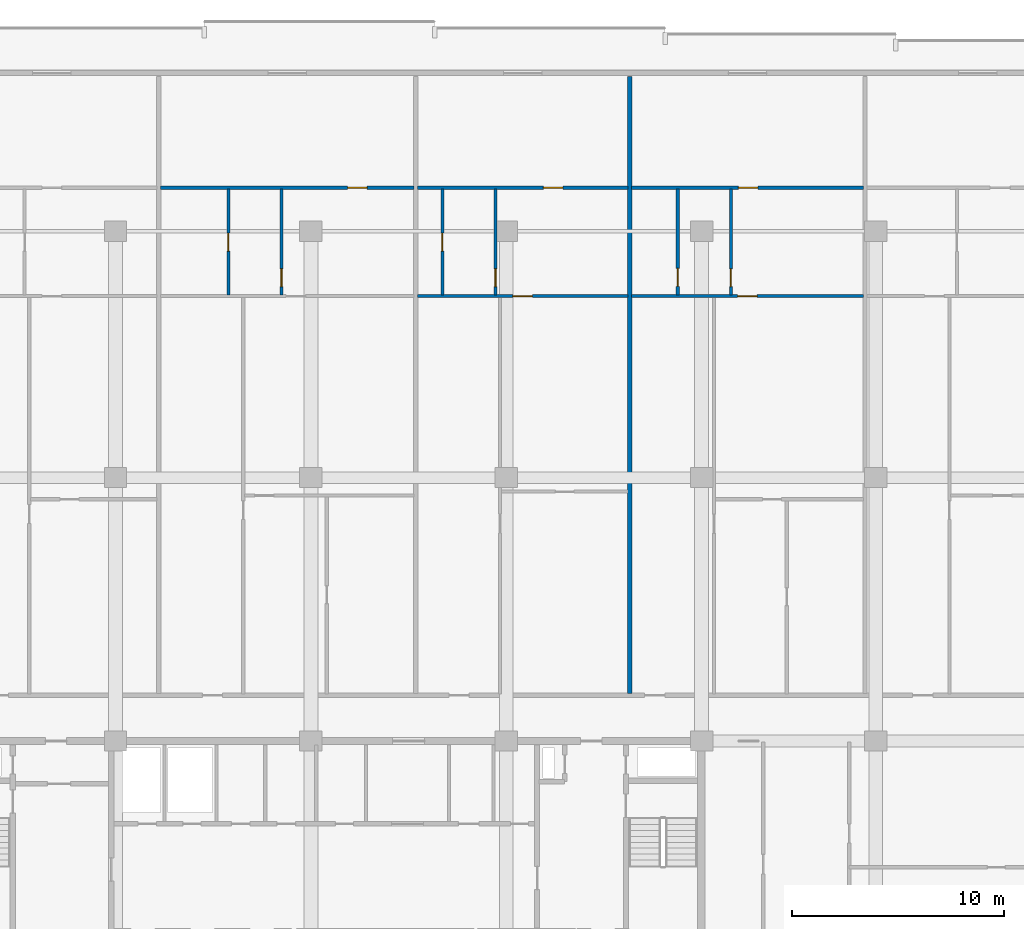
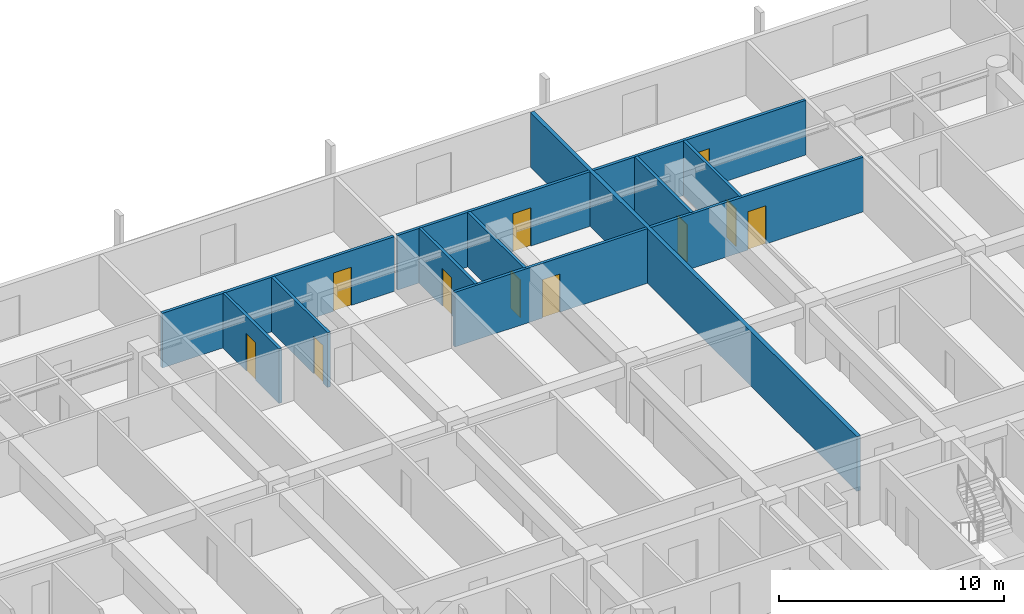
# One storey, part 15 of 23: 12 walls, 11 doors, 11 openings.
"""IFC4 building model written with IfcOpenShell, lengths in metres."""

from ifc_helpers import new_model, si_unit, direction, frame, frame_2d, origin, place, context, subcontext, project, spatial, rectangle, extrude, material, layer, layer_set, type_object, element, fill, save


model = new_model("IFC4")

# Units and contexts
model_context = context("Model", 3, precision=1e-05, world=origin(), true_north=direction((0.0, 1.0)))
body_context = subcontext(model_context, "Body", "Model", "MODEL_VIEW")
ifc_project = project(units=[si_unit("LENGTHUNIT", "METRE"), si_unit("AREAUNIT", "SQUARE_METRE"), si_unit("VOLUMEUNIT", "CUBIC_METRE"), si_unit("PLANEANGLEUNIT", "RADIAN"), si_unit("MASSUNIT", "GRAM", prefix="KILO")], contexts=[model_context])

# Site, building, storey
site_placement = place(None, origin())
site = spatial("IfcSite", under=ifc_project, at=site_placement, CompositionType="ELEMENT")
building_placement = place(site_placement, origin())
building = spatial("IfcBuilding", under=site, at=building_placement, Name="Korimba Cascade Residences", CompositionType="ELEMENT")
storey_placement = place(building_placement, frame((0.0, 0.0, 30.5)))
storey = spatial("IfcBuildingStorey", under=building, at=storey_placement, Name="L07", CompositionType="ELEMENT", Elevation=30.5)

# Wall
ifc_material_1 = material(Name="Precast concrete C40/50", Category="concrete")
ifc_layer_1 = layer(ifc_material_1, 0.199951171875)
ifc_layer_set_1 = layer_set([ifc_layer_1], Name="Precast concrete C40/50")
wall_type_1 = type_object("IfcWallType", Name="WAL-IT-200", PredefinedType="PARTITIONING", material=ifc_layer_set_1)
wall_1_placement = place(storey_placement, frame((108.712890625, 69.429931640625, 0.0), z_axis=(0.0, 0.0, 1.0), x_axis=(0.0, 1.0, 0.0)))
element("IfcWall", 1, at=wall_1_placement, inside=storey, type_object=wall_type_1, Name="L07 Partition Wall WAL-L07-T1-DEM-5", PredefinedType="PARTITIONING", context=body_context, shape_type="SweptSolid", body=[
    extrude(rectangle(XDim=29.070068359375, YDim=0.199951171875, at=frame_2d((14.53515625, 0.0))), origin(), (0.0, 0.0, 1.0), 2.969970703125),
])

# Wall, opening, door
ifc_material_2 = material(Name="Insulated Acoustic Stud Partition", Category="gypsum")
ifc_layer_2 = layer(ifc_material_2, 0.14990234375)
ifc_layer_set_2 = layer_set([ifc_layer_2], Name="Insulated Acoustic Stud Partition")
wall_type_2 = type_object("IfcWallType", Name="WAL-PART-150", PredefinedType="PARTITIONING", material=ifc_layer_set_2)
wall_2_placement = place(storey_placement, frame((89.81494140625, 88.18994140625, 0.0), z_axis=(0.0, 0.0, 1.0), x_axis=(0.0, 1.0, 0.0)))
wall_2 = element("IfcWall", 2, at=wall_2_placement, inside=storey, type_object=wall_type_2, Name="L07 Partition Wall WAL-L07-T1-U04-CLS", PredefinedType="PARTITIONING", context=body_context, shape_type="SweptSolid", body=[
    extrude(rectangle(XDim=5.0, YDim=0.14990234375, at=frame_2d((2.5, 0.0))), origin(), (0.0, 0.0, 1.0), 2.969970703125),
])
opening_1_placement = place(wall_2_placement, frame((2.080078125, 0.0, 0.0)))
opening_1 = element("IfcOpeningElement", 3, at=opening_1_placement, cuts=wall_2, Name="Opening D-BT1", PredefinedType="OPENING", context=body_context, shape_type="SweptSolid", body=[
    extrude(rectangle(XDim=0.840087890625, YDim=2.0400390625, at=frame_2d((0.419921875, 1.02001953125))), frame((0.0, 0.0849609375, 0.0), z_axis=(0.0, -1.0, 0.0), x_axis=(1.0, 0.0, 0.0)), (0.0, 0.0, 1.0), 0.169921875),
])
ifc_material_3 = material(Name="Moisture-Resistant Bathroom Timber Door", Category="wood")
door_type_1 = type_object("IfcDoorType", Name="DR-INT-850", OperationType="NOTDEFINED", PredefinedType="DOOR", material=ifc_material_3)
door_1_placement = place(opening_1_placement, origin())
door_1 = element("IfcDoor", 4, at=door_1_placement, inside=storey, type_object=door_type_1, Name="L07-T1-U04 Closet Door", OperationType="SINGLE_SWING_RIGHT", OverallHeight=2.0400390625, OverallWidth=0.840087890625, PredefinedType="DOOR", context=body_context, shape_type="SweptSolid", body=[
    extrude(rectangle(XDim=0.840087890625, YDim=2.0400390625, at=frame_2d((0.419921875, 1.02001953125))), frame((0.0, 0.02490234375, 0.0), z_axis=(0.0, -1.0, 0.0), x_axis=(1.0, 0.0, 0.0)), (0.0, 0.0, 1.0), 0.050048828125),
])
fill(opening_1, door_1)

wall_3_placement = place(storey_placement, frame((92.31494140625, 88.18994140625, 0.0), z_axis=(0.0, 0.0, 1.0), x_axis=(0.0, 1.0, 0.0)))
wall_3 = element("IfcWall", 5, at=wall_3_placement, inside=storey, type_object=wall_type_2, Name="L07 Partition Wall WAL-L07-T1-U04-BM", PredefinedType="PARTITIONING", context=body_context, shape_type="SweptSolid", body=[
    extrude(rectangle(XDim=5.0, YDim=0.14990234375, at=frame_2d((2.5, 0.0))), origin(), (0.0, 0.0, 1.0), 2.969970703125),
])
opening_2_placement = place(wall_3_placement, frame((0.39990234375, 0.0, 0.0)))
opening_2 = element("IfcOpeningElement", 6, at=opening_2_placement, cuts=wall_3, Name="Opening D-BT1", PredefinedType="OPENING", context=body_context, shape_type="SweptSolid", body=[
    extrude(rectangle(XDim=0.840087890625, YDim=2.0400390625, at=frame_2d((0.419921875, 1.02001953125))), frame((0.0, 0.0849609375, 0.0), z_axis=(0.0, -1.0, 0.0), x_axis=(1.0, 0.0, 0.0)), (0.0, 0.0, 1.0), 0.169921875),
])
door_2_placement = place(opening_2_placement, origin())
door_2 = element("IfcDoor", 7, at=door_2_placement, inside=storey, type_object=door_type_1, Name="L07-T1-U04 Bathroom Door", OperationType="SINGLE_SWING_LEFT", OverallHeight=2.0400390625, OverallWidth=0.840087890625, PredefinedType="DOOR", context=body_context, shape_type="SweptSolid", body=[
    extrude(rectangle(XDim=0.840087890625, YDim=2.0400390625, at=frame_2d((0.419921875, 1.02001953125))), frame((0.0, 0.02490234375, 0.0), z_axis=(0.0, -1.0, 0.0), x_axis=(1.0, 0.0, 0.0)), (0.0, 0.0, 1.0), 0.050048828125),
])
fill(opening_2, door_2)

wall_4_placement = place(storey_placement, frame((86.62158203125, 93.25, 0.0), z_axis=(0.0, 0.0, 1.0), x_axis=(1.0, 0.0, 0.0)))
wall_4 = element("IfcWall", 8, at=wall_4_placement, inside=storey, type_object=wall_type_2, Name="L07 Partition Wall WAL-L07-T1-U04-HZ", PredefinedType="PARTITIONING", context=body_context, shape_type="SweptSolid", body=[
    extrude(rectangle(XDim=11.933349609375, YDim=0.14990234375, at=frame_2d((5.966796875, 0.0))), origin(), (0.0, 0.0, 1.0), 2.969970703125),
])
opening_3_placement = place(wall_4_placement, frame((8.8115234375, 0.0, 0.0)))
opening_3 = element("IfcOpeningElement", 9, at=opening_3_placement, cuts=wall_4, Name="Opening D-IN1", PredefinedType="OPENING", context=body_context, shape_type="SweptSolid", body=[
    extrude(rectangle(XDim=0.919921875, YDim=2.080078125, at=frame_2d((0.4599609375, 1.0400390625))), frame((0.0, 0.0849609375, 0.0), z_axis=(0.0, -1.0, 0.0), x_axis=(1.0, 0.0, 0.0)), (0.0, 0.0, 1.0), 0.169921875),
])
ifc_material_4 = material(Name="Acoustic Timber Living Door", Category="wood")
door_type_2 = type_object("IfcDoorType", Name="DR-INT-920", OperationType="NOTDEFINED", PredefinedType="DOOR", material=ifc_material_4)
door_3_placement = place(opening_3_placement, origin())
door_3 = element("IfcDoor", 10, at=door_3_placement, inside=storey, type_object=door_type_2, Name="L07-T1-U04 Studio Door", OperationType="SINGLE_SWING_LEFT", OverallHeight=2.080078125, OverallWidth=0.919921875, PredefinedType="DOOR", context=body_context, shape_type="SweptSolid", body=[
    extrude(rectangle(XDim=0.919921875, YDim=2.080078125, at=frame_2d((0.4599609375, 1.0400390625))), frame((0.0, 0.02490234375, 0.0), z_axis=(0.0, -1.0, 0.0), x_axis=(1.0, 0.0, 0.0)), (0.0, 0.0, 1.0), 0.050048828125),
])
fill(opening_3, door_3)

wall_5_placement = place(storey_placement, frame((99.892822265625, 88.18994140625, 0.0), z_axis=(0.0, 0.0, 1.0), x_axis=(0.0, 1.0, 0.0)))
wall_5 = element("IfcWall", 11, at=wall_5_placement, inside=storey, type_object=wall_type_2, Name="L07 Partition Wall WAL-L07-T1-U05-CLS", PredefinedType="PARTITIONING", context=body_context, shape_type="SweptSolid", body=[
    extrude(rectangle(XDim=5.0, YDim=0.14990234375, at=frame_2d((2.5, 0.0))), origin(), (0.0, 0.0, 1.0), 2.969970703125),
])
opening_4_placement = place(wall_5_placement, frame((2.080078125, 0.0, 0.0)))
opening_4 = element("IfcOpeningElement", 12, at=opening_4_placement, cuts=wall_5, Name="Opening D-BT1", PredefinedType="OPENING", context=body_context, shape_type="SweptSolid", body=[
    extrude(rectangle(XDim=0.840087890625, YDim=2.0400390625, at=frame_2d((0.419921875, 1.02001953125))), frame((0.0, 0.0849609375, 0.0), z_axis=(0.0, -1.0, 0.0), x_axis=(1.0, 0.0, 0.0)), (0.0, 0.0, 1.0), 0.169921875),
])
door_4_placement = place(opening_4_placement, origin())
door_4 = element("IfcDoor", 13, at=door_4_placement, inside=storey, type_object=door_type_1, Name="L07-T1-U05 Closet Door", OperationType="SINGLE_SWING_RIGHT", OverallHeight=2.0400390625, OverallWidth=0.840087890625, PredefinedType="DOOR", context=body_context, shape_type="SweptSolid", body=[
    extrude(rectangle(XDim=0.840087890625, YDim=2.0400390625, at=frame_2d((0.419921875, 1.02001953125))), frame((0.0, 0.02490234375, 0.0), z_axis=(0.0, -1.0, 0.0), x_axis=(1.0, 0.0, 0.0)), (0.0, 0.0, 1.0), 0.050048828125),
])
fill(opening_4, door_4)

wall_6_placement = place(storey_placement, frame((102.392822265625, 88.18994140625, 0.0), z_axis=(0.0, 0.0, 1.0), x_axis=(0.0, 1.0, 0.0)))
wall_6 = element("IfcWall", 14, at=wall_6_placement, inside=storey, type_object=wall_type_2, Name="L07 Partition Wall WAL-L07-T1-U05-BM", PredefinedType="PARTITIONING", context=body_context, shape_type="SweptSolid", body=[
    extrude(rectangle(XDim=5.0, YDim=0.14990234375, at=frame_2d((2.5, 0.0))), origin(), (0.0, 0.0, 1.0), 2.969970703125),
])
opening_5_placement = place(wall_6_placement, frame((0.39990234375, 0.0, 0.0)))
opening_5 = element("IfcOpeningElement", 15, at=opening_5_placement, cuts=wall_6, Name="Opening D-BT1", PredefinedType="OPENING", context=body_context, shape_type="SweptSolid", body=[
    extrude(rectangle(XDim=0.840087890625, YDim=2.0400390625, at=frame_2d((0.419921875, 1.02001953125))), frame((0.0, 0.0849609375, 0.0), z_axis=(0.0, -1.0, 0.0), x_axis=(1.0, 0.0, 0.0)), (0.0, 0.0, 1.0), 0.169921875),
])
door_5_placement = place(opening_5_placement, origin())
door_5 = element("IfcDoor", 16, at=door_5_placement, inside=storey, type_object=door_type_1, Name="L07-T1-U05 Bathroom Door", OperationType="SINGLE_SWING_LEFT", OverallHeight=2.0400390625, OverallWidth=0.840087890625, PredefinedType="DOOR", context=body_context, shape_type="SweptSolid", body=[
    extrude(rectangle(XDim=0.840087890625, YDim=2.0400390625, at=frame_2d((0.419921875, 1.02001953125))), frame((0.0, 0.02490234375, 0.0), z_axis=(0.0, -1.0, 0.0), x_axis=(1.0, 0.0, 0.0)), (0.0, 0.0, 1.0), 0.050048828125),
])
fill(opening_5, door_5)

wall_7_placement = place(storey_placement, frame((98.715087890625, 88.14990234375, 0.0), z_axis=(0.0, 0.0, 1.0), x_axis=(1.0, 0.0, 0.0)))
wall_7 = element("IfcWall", 17, at=wall_7_placement, inside=storey, type_object=wall_type_2, Name="L07 Partition Wall WAL-L07-T1-U05-MW", PredefinedType="PARTITIONING", context=body_context, shape_type="SweptSolid", body=[
    extrude(rectangle(XDim=9.917724609375, YDim=0.14990234375, at=frame_2d((4.958984375, 0.0))), origin(), (0.0, 0.0, 1.0), 2.969970703125),
])
opening_6_placement = place(wall_7_placement, frame((4.4990234375, 0.0, 0.0)))
opening_6 = element("IfcOpeningElement", 18, at=opening_6_placement, cuts=wall_7, Name="Opening D-IN1", PredefinedType="OPENING", context=body_context, shape_type="SweptSolid", body=[
    extrude(rectangle(XDim=0.919921875, YDim=2.080078125, at=frame_2d((0.4599609375, 1.0400390625))), frame((0.0, 0.0849609375, 0.0), z_axis=(0.0, -1.0, 0.0), x_axis=(1.0, 0.0, 0.0)), (0.0, 0.0, 1.0), 0.169921875),
])
door_6_placement = place(opening_6_placement, origin())
door_6 = element("IfcDoor", 19, at=door_6_placement, inside=storey, type_object=door_type_2, Name="L07-T1-U05 Studio Kitchen Door", OperationType="SINGLE_SWING_RIGHT", OverallHeight=2.080078125, OverallWidth=0.919921875, PredefinedType="DOOR", context=body_context, shape_type="SweptSolid", body=[
    extrude(rectangle(XDim=0.919921875, YDim=2.080078125, at=frame_2d((0.4599609375, 1.0400390625))), frame((0.0, 0.02490234375, 0.0), z_axis=(0.0, -1.0, 0.0), x_axis=(1.0, 0.0, 0.0)), (0.0, 0.0, 1.0), 0.050048828125),
])
fill(opening_6, door_6)

wall_8_placement = place(storey_placement, frame((98.715087890625, 93.25, 0.0), z_axis=(0.0, 0.0, 1.0), x_axis=(1.0, 0.0, 0.0)))
wall_8 = element("IfcWall", 20, at=wall_8_placement, inside=storey, type_object=wall_type_2, Name="L07 Partition Wall WAL-L07-T1-U05-HZ", PredefinedType="PARTITIONING", context=body_context, shape_type="SweptSolid", body=[
    extrude(rectangle(XDim=9.917724609375, YDim=0.14990234375, at=frame_2d((4.958984375, 0.0))), origin(), (0.0, 0.0, 1.0), 2.969970703125),
])
opening_7_placement = place(wall_8_placement, frame((5.935546875, 0.0, 0.0)))
opening_7 = element("IfcOpeningElement", 21, at=opening_7_placement, cuts=wall_8, Name="Opening D-IN1", PredefinedType="OPENING", context=body_context, shape_type="SweptSolid", body=[
    extrude(rectangle(XDim=0.919921875, YDim=2.080078125, at=frame_2d((0.4599609375, 1.0400390625))), frame((0.0, 0.0849609375, 0.0), z_axis=(0.0, -1.0, 0.0), x_axis=(1.0, 0.0, 0.0)), (0.0, 0.0, 1.0), 0.169921875),
])
door_7_placement = place(opening_7_placement, origin())
door_7 = element("IfcDoor", 22, at=door_7_placement, inside=storey, type_object=door_type_2, Name="L07-T1-U05 Studio Door", OperationType="SINGLE_SWING_LEFT", OverallHeight=2.080078125, OverallWidth=0.919921875, PredefinedType="DOOR", context=body_context, shape_type="SweptSolid", body=[
    extrude(rectangle(XDim=0.919921875, YDim=2.080078125, at=frame_2d((0.4599609375, 1.0400390625))), frame((0.0, 0.02490234375, 0.0), z_axis=(0.0, -1.0, 0.0), x_axis=(1.0, 0.0, 0.0)), (0.0, 0.0, 1.0), 0.050048828125),
])
fill(opening_7, door_7)

wall_9_placement = place(storey_placement, frame((110.978515625, 88.18994140625, 0.0), z_axis=(0.0, 0.0, 1.0), x_axis=(0.0, 1.0, 0.0)))
wall_9 = element("IfcWall", 23, at=wall_9_placement, inside=storey, type_object=wall_type_2, Name="L07 Partition Wall WAL-L07-T1-U06-CLS", PredefinedType="PARTITIONING", context=body_context, shape_type="SweptSolid", body=[
    extrude(rectangle(XDim=5.0, YDim=0.14990234375, at=frame_2d((2.5, 0.0))), origin(), (0.0, 0.0, 1.0), 2.969970703125),
])
opening_8_placement = place(wall_9_placement, frame((0.419189453125, 0.0, 0.0)))
opening_8 = element("IfcOpeningElement", 24, at=opening_8_placement, cuts=wall_9, Name="Opening D-BT1", PredefinedType="OPENING", context=body_context, shape_type="SweptSolid", body=[
    extrude(rectangle(XDim=0.840087890625, YDim=2.0400390625, at=frame_2d((0.419921875, 1.02001953125))), frame((0.0, 0.0849609375, 0.0), z_axis=(0.0, -1.0, 0.0), x_axis=(1.0, 0.0, 0.0)), (0.0, 0.0, 1.0), 0.169921875),
])
door_8_placement = place(opening_8_placement, origin())
door_8 = element("IfcDoor", 25, at=door_8_placement, inside=storey, type_object=door_type_1, Name="L07-T1-U06 Closet Door", OperationType="SINGLE_SWING_LEFT", OverallHeight=2.0400390625, OverallWidth=0.840087890625, PredefinedType="DOOR", context=body_context, shape_type="SweptSolid", body=[
    extrude(rectangle(XDim=0.840087890625, YDim=2.0400390625, at=frame_2d((0.419921875, 1.02001953125))), frame((0.0, 0.02490234375, 0.0), z_axis=(0.0, -1.0, 0.0), x_axis=(1.0, 0.0, 0.0)), (0.0, 0.0, 1.0), 0.050048828125),
])
fill(opening_8, door_8)

wall_10_placement = place(storey_placement, frame((113.478515625, 88.18994140625, 0.0), z_axis=(0.0, 0.0, 1.0), x_axis=(0.0, 1.0, 0.0)))
wall_10 = element("IfcWall", 26, at=wall_10_placement, inside=storey, type_object=wall_type_2, Name="L07 Partition Wall WAL-L07-T1-U06-BM", PredefinedType="PARTITIONING", context=body_context, shape_type="SweptSolid", body=[
    extrude(rectangle(XDim=5.0, YDim=0.14990234375, at=frame_2d((2.5, 0.0))), origin(), (0.0, 0.0, 1.0), 2.969970703125),
])
opening_9_placement = place(wall_10_placement, frame((0.39990234375, 0.0, 0.0)))
opening_9 = element("IfcOpeningElement", 27, at=opening_9_placement, cuts=wall_10, Name="Opening D-BT1", PredefinedType="OPENING", context=body_context, shape_type="SweptSolid", body=[
    extrude(rectangle(XDim=0.840087890625, YDim=2.0400390625, at=frame_2d((0.419921875, 1.02001953125))), frame((0.0, 0.0849609375, 0.0), z_axis=(0.0, -1.0, 0.0), x_axis=(1.0, 0.0, 0.0)), (0.0, 0.0, 1.0), 0.169921875),
])
door_9_placement = place(opening_9_placement, origin())
door_9 = element("IfcDoor", 28, at=door_9_placement, inside=storey, type_object=door_type_1, Name="L07-T1-U06 Bathroom Door", OperationType="SINGLE_SWING_RIGHT", OverallHeight=2.0400390625, OverallWidth=0.840087890625, PredefinedType="DOOR", context=body_context, shape_type="SweptSolid", body=[
    extrude(rectangle(XDim=0.840087890625, YDim=2.0400390625, at=frame_2d((0.419921875, 1.02001953125))), frame((0.0, 0.02490234375, 0.0), z_axis=(0.0, -1.0, 0.0), x_axis=(1.0, 0.0, 0.0)), (0.0, 0.0, 1.0), 0.050048828125),
])
fill(opening_9, door_9)

wall_11_placement = place(storey_placement, frame((108.79296875, 88.14990234375, 0.0), z_axis=(0.0, 0.0, 1.0), x_axis=(1.0, 0.0, 0.0)))
wall_11 = element("IfcWall", 29, at=wall_11_placement, inside=storey, type_object=wall_type_2, Name="L07 Partition Wall WAL-L07-T1-U06-MW", PredefinedType="PARTITIONING", context=body_context, shape_type="SweptSolid", body=[
    extrude(rectangle(XDim=10.925537109375, YDim=0.14990234375, at=frame_2d((5.462890625, 0.0))), origin(), (0.0, 0.0, 1.0), 2.969970703125),
])
opening_10_placement = place(wall_11_placement, frame((5.002685546875, 0.0, 0.0)))
opening_10 = element("IfcOpeningElement", 30, at=opening_10_placement, cuts=wall_11, Name="Opening D-IN1", PredefinedType="OPENING", context=body_context, shape_type="SweptSolid", body=[
    extrude(rectangle(XDim=0.919921875, YDim=2.080078125, at=frame_2d((0.4599609375, 1.0400390625))), frame((0.0, 0.0849609375, 0.0), z_axis=(0.0, -1.0, 0.0), x_axis=(1.0, 0.0, 0.0)), (0.0, 0.0, 1.0), 0.169921875),
])
door_10_placement = place(opening_10_placement, origin())
door_10 = element("IfcDoor", 31, at=door_10_placement, inside=storey, type_object=door_type_2, Name="L07-T1-U06 Studio Kitchen Door", OperationType="SINGLE_SWING_LEFT", OverallHeight=2.080078125, OverallWidth=0.919921875, PredefinedType="DOOR", context=body_context, shape_type="SweptSolid", body=[
    extrude(rectangle(XDim=0.919921875, YDim=2.080078125, at=frame_2d((0.4599609375, 1.0400390625))), frame((0.0, 0.02490234375, 0.0), z_axis=(0.0, -1.0, 0.0), x_axis=(1.0, 0.0, 0.0)), (0.0, 0.0, 1.0), 0.050048828125),
])
fill(opening_10, door_10)

wall_12_placement = place(storey_placement, frame((108.79296875, 93.25, 0.0), z_axis=(0.0, 0.0, 1.0), x_axis=(1.0, 0.0, 0.0)))
wall_12 = element("IfcWall", 32, at=wall_12_placement, inside=storey, type_object=wall_type_2, Name="L07 Partition Wall WAL-L07-T1-U06-HZ", PredefinedType="PARTITIONING", context=body_context, shape_type="SweptSolid", body=[
    extrude(rectangle(XDim=10.925537109375, YDim=0.14990234375, at=frame_2d((5.462890625, 0.0))), origin(), (0.0, 0.0, 1.0), 2.969970703125),
])
opening_11_placement = place(wall_12_placement, frame((5.03125, 0.0, 0.0)))
opening_11 = element("IfcOpeningElement", 33, at=opening_11_placement, cuts=wall_12, Name="Opening D-IN1", PredefinedType="OPENING", context=body_context, shape_type="SweptSolid", body=[
    extrude(rectangle(XDim=0.919921875, YDim=2.080078125, at=frame_2d((0.4599609375, 1.0400390625))), frame((0.0, 0.0849609375, 0.0), z_axis=(0.0, -1.0, 0.0), x_axis=(1.0, 0.0, 0.0)), (0.0, 0.0, 1.0), 0.169921875),
])
door_11_placement = place(opening_11_placement, origin())
door_11 = element("IfcDoor", 34, at=door_11_placement, inside=storey, type_object=door_type_2, Name="L07-T1-U06 Studio Door", OperationType="SINGLE_SWING_RIGHT", OverallHeight=2.080078125, OverallWidth=0.919921875, PredefinedType="DOOR", context=body_context, shape_type="SweptSolid", body=[
    extrude(rectangle(XDim=0.919921875, YDim=2.080078125, at=frame_2d((0.4599609375, 1.0400390625))), frame((0.0, 0.02490234375, 0.0), z_axis=(0.0, -1.0, 0.0), x_axis=(1.0, 0.0, 0.0)), (0.0, 0.0, 1.0), 0.050048828125),
])
fill(opening_11, door_11)

save(model, "model.ifc")
